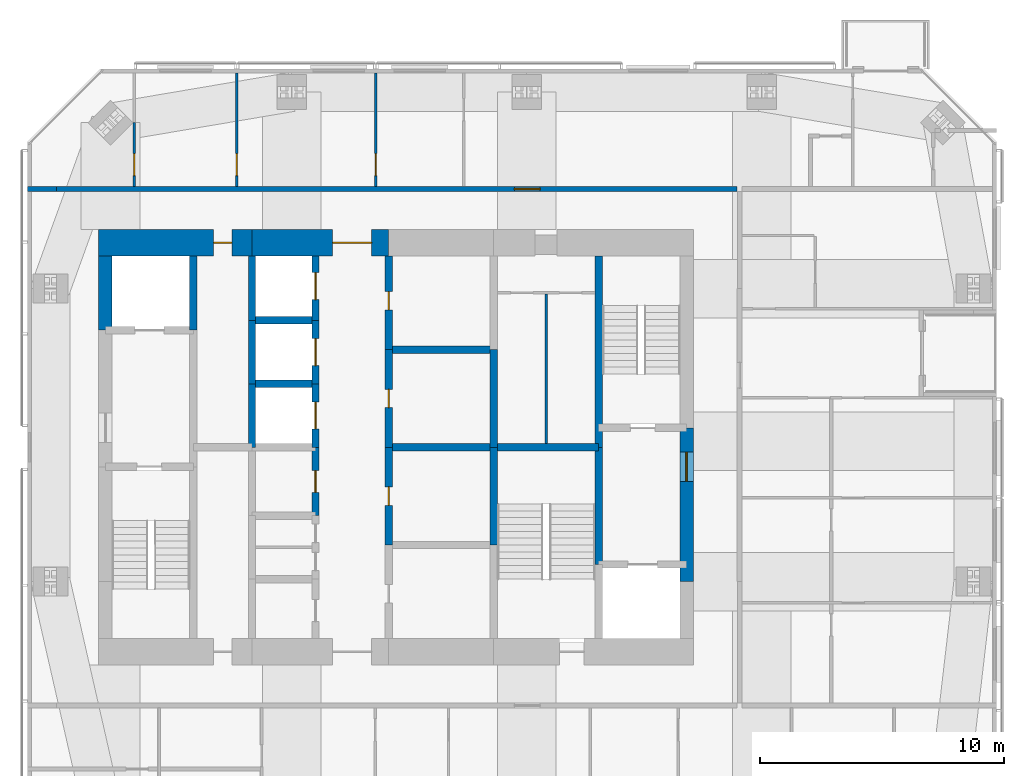
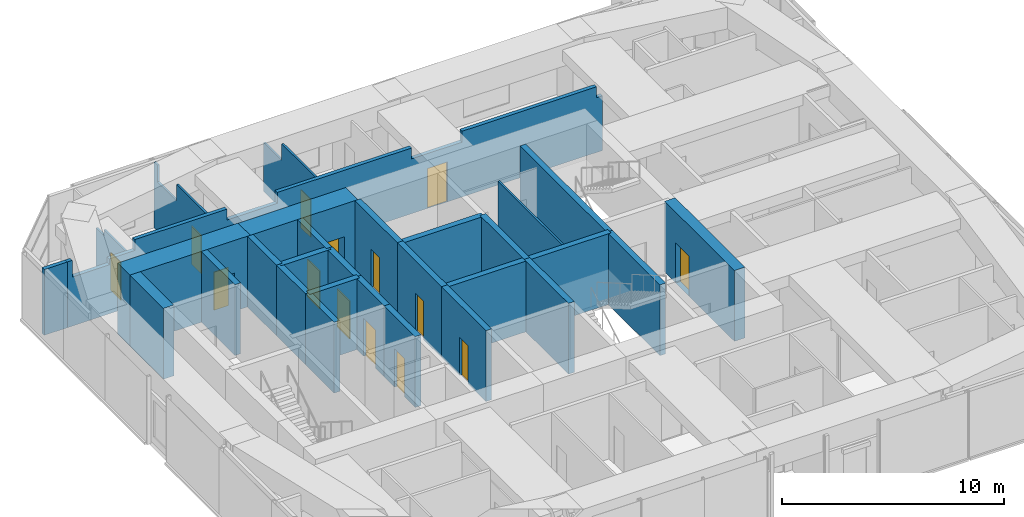
# One storey, part 16 of 20: 30 walls, 14 doors, 14 openings.
"""IFC4 building model written with IfcOpenShell, lengths in metres."""

from ifc_helpers import new_model, si_unit, direction, frame, frame_2d, origin, place, context, subcontext, project, spatial, polyline, rectangle, outline, extrude, material, layer, layer_set, constituent, constituent_set, type_object, element, fill, save


model = new_model("IFC4")

# Units and contexts
model_context = context("Model", 3, precision=1e-05, world=origin(), true_north=direction((0.0, 1.0)))
body_context = subcontext(model_context, "Body", "Model", "MODEL_VIEW")
ifc_project = project(units=[si_unit("LENGTHUNIT", "METRE"), si_unit("AREAUNIT", "SQUARE_METRE"), si_unit("VOLUMEUNIT", "CUBIC_METRE"), si_unit("PLANEANGLEUNIT", "RADIAN"), si_unit("MASSUNIT", "GRAM", prefix="KILO")], contexts=[model_context])

# Site, building, storey
site_placement = place(None, origin())
site = spatial("IfcSite", under=ifc_project, at=site_placement, CompositionType="ELEMENT")
building_placement = place(site_placement, origin())
building = spatial("IfcBuilding", under=site, at=building_placement, Name="Jalousie Tower", CompositionType="ELEMENT")
storey_placement = place(building_placement, frame((0.0, 0.0, 263.85009765625)))
storey = spatial("IfcBuildingStorey", under=building, at=storey_placement, Name="L72", CompositionType="ELEMENT", Elevation=263.85009765625)

# Wall, opening, door
ifc_material_1 = material(Name="Concrete f'c 120 MPa", Category="concrete")
ifc_layer_1 = layer(ifc_material_1, 1.10009765625)
ifc_layer_set_1 = layer_set([ifc_layer_1], Name="Concrete f'c 120 MPa")
wall_type_1 = type_object("IfcWallType", Name="CORE WALL 1100", PredefinedType="SHEAR", material=ifc_layer_set_1)
wall_1_placement = place(storey_placement, frame((31.60009765625, 26.875, 0.0), z_axis=(0.0, 0.0, 1.0), x_axis=(-1.0, 0.0, 0.0)))
wall_1 = element("IfcWall", 1, at=wall_1_placement, inside=storey, type_object=wall_type_1, Name="Core wall NC L72", PredefinedType="SHEAR", context=body_context, shape_type="SweptSolid", body=[
    extrude(rectangle(XDim=5.60009765625, YDim=1.10009765625, at=frame_2d((2.800048828125, 0.0))), origin(), (0.0, 0.0, 1.0), 3.89990234375),
])
opening_1_placement = place(wall_1_placement, frame((0.699951171875, 0.0, 0.0)))
opening_1 = element("IfcOpeningElement", 2, at=opening_1_placement, cuts=wall_1, Name="Opening D15", PredefinedType="OPENING", context=body_context, shape_type="SweptSolid", body=[
    extrude(rectangle(XDim=1.60009765625, YDim=2.10009765625, at=frame_2d((0.800048828125, 1.050048828125))), frame((0.0, 0.56005859375, 0.0), z_axis=(0.0, -1.0, 0.0), x_axis=(1.0, 0.0, 0.0)), (0.0, 0.0, 1.0), 1.1201171875),
])
ifc_material_2 = material(Name="Steel fire door", Category="steel")
door_type_1 = type_object("IfcDoorType", Name="LIFT LOBBY DOOR 1600", OperationType="DOUBLE_DOOR_SINGLE_SWING", PredefinedType="DOOR", material=ifc_material_2)
door_1_placement = place(opening_1_placement, origin())
door_1 = element("IfcDoor", 3, at=door_1_placement, inside=storey, type_object=door_type_1, Name="Lift lobby north door", OperationType="DOUBLE_DOOR_SINGLE_SWING", OverallHeight=2.10009765625, OverallWidth=1.60009765625, PredefinedType="DOOR", context=body_context, shape_type="SweptSolid", body=[
    extrude(rectangle(XDim=1.60009765625, YDim=2.10009765625, at=frame_2d((0.800048828125, 1.050048828125))), frame((0.0, 0.02490234375, 0.0), z_axis=(0.0, -1.0, 0.0), x_axis=(1.0, 0.0, 0.0)), (0.0, 0.0, 1.0), 0.050048828125),
])
fill(opening_1, door_1)

wall_2_placement = place(storey_placement, frame((26.0, 26.875, 0.0), z_axis=(0.0, 0.0, 1.0), x_axis=(-1.0, 0.0, 0.0)))
wall_2 = element("IfcWall", 4, at=wall_2_placement, inside=storey, type_object=wall_type_1, Name="Core wall ND L72", PredefinedType="SHEAR", context=body_context, shape_type="SweptSolid", body=[
    extrude(rectangle(XDim=6.27490234375, YDim=1.10009765625, at=frame_2d((3.137451171875, 0.0))), origin(), (0.0, 0.0, 1.0), 3.89990234375),
])
opening_2_placement = place(wall_2_placement, frame((0.824951171875, 0.0, 0.0)))
opening_2 = element("IfcOpeningElement", 5, at=opening_2_placement, cuts=wall_2, Name="Opening D16", PredefinedType="OPENING", context=body_context, shape_type="SweptSolid", body=[
    extrude(rectangle(XDim=0.75, YDim=2.10009765625, at=frame_2d((0.375, 1.050048828125))), frame((0.0, 0.56005859375, 0.0), z_axis=(0.0, -1.0, 0.0), x_axis=(1.0, 0.0, 0.0)), (0.0, 0.0, 1.0), 1.1201171875),
])
ifc_material_3 = material(Name="Steel fire door", Category="steel")
door_type_2 = type_object("IfcDoorType", Name="RISER DOOR 750", OperationType="SINGLE_SWING_LEFT", PredefinedType="DOOR", material=ifc_material_3)
door_2_placement = place(opening_2_placement, origin())
door_2 = element("IfcDoor", 6, at=door_2_placement, inside=storey, type_object=door_type_2, Name="North riser door", OperationType="SINGLE_SWING_RIGHT", OverallHeight=2.10009765625, OverallWidth=0.75, PredefinedType="DOOR", context=body_context, shape_type="SweptSolid", body=[
    extrude(rectangle(XDim=0.75, YDim=2.10009765625, at=frame_2d((0.375, 1.050048828125))), frame((0.0, 0.02490234375, 0.0), z_axis=(0.0, -1.0, 0.0), x_axis=(1.0, 0.0, 0.0)), (0.0, 0.0, 1.0), 0.050048828125),
])
fill(opening_2, door_2)

# Walls
ifc_material_4 = material(Name="Concrete f'c 120 MPa", Category="concrete")
ifc_layer_2 = layer(ifc_material_4, 0.300048828125)
ifc_layer_set_2 = layer_set([ifc_layer_2], Name="Concrete f'c 120 MPa")
wall_type_2 = type_object("IfcWallType", Name="CORE WALL 300", PredefinedType="SHEAR", material=ifc_layer_set_2)
wall_3_placement = place(storey_placement, frame((23.60009765625, 23.300048828125, 0.0), z_axis=(0.0, 0.0, 1.0), x_axis=(0.0, 1.0, 0.0)))
element("IfcWall", 7, at=wall_3_placement, inside=storey, type_object=wall_type_2, Name="Core wall X23.6C L72", PredefinedType="SHEAR", context=body_context, shape_type="SweptSolid", body=[
    extrude(rectangle(XDim=3.02490234375, YDim=0.300048828125, at=frame_2d((1.512451171875, 0.0))), origin(), (0.0, 0.0, 1.0), 3.89990234375),
])
wall_4_placement = place(storey_placement, frame((26.0, 18.5, 0.0), z_axis=(0.0, 0.0, 1.0), x_axis=(0.0, 1.0, 0.0)))
element("IfcWall", 8, at=wall_4_placement, inside=storey, type_object=wall_type_2, Name="Core wall X26D L72", PredefinedType="SHEAR", context=body_context, shape_type="SweptSolid", body=[
    extrude(rectangle(XDim=2.60009765625, YDim=0.300048828125, at=frame_2d((1.300048828125, 0.0))), origin(), (0.0, 0.0, 1.0), 3.89990234375),
])
wall_5_placement = place(storey_placement, frame((26.0, 21.10009765625, 0.0), z_axis=(0.0, 0.0, 1.0), x_axis=(0.0, 1.0, 0.0)))
element("IfcWall", 9, at=wall_5_placement, inside=storey, type_object=wall_type_2, Name="Core wall X26E L72", PredefinedType="SHEAR", context=body_context, shape_type="SweptSolid", body=[
    extrude(rectangle(XDim=2.599853515625, YDim=0.300048828125, at=frame_2d((1.2998046875, 0.0))), origin(), (0.0, 0.0, 1.0), 3.89990234375),
])
wall_6_placement = place(storey_placement, frame((26.0, 23.699951171875, 0.0), z_axis=(0.0, 0.0, 1.0), x_axis=(0.0, 1.0, 0.0)))
element("IfcWall", 10, at=wall_6_placement, inside=storey, type_object=wall_type_2, Name="Core wall X26F L72", PredefinedType="SHEAR", context=body_context, shape_type="SweptSolid", body=[
    extrude(rectangle(XDim=2.625, YDim=0.300048828125, at=frame_2d((1.3125, 0.0))), origin(), (0.0, 0.0, 1.0), 3.89990234375),
])

# Wall, opening, door
wall_7_placement = place(storey_placement, frame((28.60009765625, 15.699951171875, 0.0), z_axis=(0.0, 0.0, 1.0), x_axis=(0.0, 1.0, 0.0)))
wall_7 = element("IfcWall", 11, at=wall_7_placement, inside=storey, type_object=wall_type_2, Name="Core wall X28.6C L72", PredefinedType="SHEAR", context=body_context, shape_type="SweptSolid", body=[
    extrude(rectangle(XDim=2.800048828125, YDim=0.300048828125, at=frame_2d((1.39990234375, 0.0))), origin(), (0.0, 0.0, 1.0), 3.89990234375),
])
opening_3_placement = place(wall_7_placement, frame((0.949951171875, 0.0, 0.0)))
opening_3 = element("IfcOpeningElement", 12, at=opening_3_placement, cuts=wall_7, Name="Opening D24", PredefinedType="OPENING", context=body_context, shape_type="SweptSolid", body=[
    extrude(rectangle(XDim=0.89990234375, YDim=2.10009765625, at=frame_2d((0.449951171875, 1.050048828125))), frame((0.0, 0.159912109375, 0.0), z_axis=(0.0, -1.0, 0.0), x_axis=(1.0, 0.0, 0.0)), (0.0, 0.0, 1.0), 0.320068359375),
])
ifc_material_5 = material(Name="Steel fire door", Category="steel")
door_type_3 = type_object("IfcDoorType", Name="CORE ROOM DOOR 900", OperationType="SINGLE_SWING_LEFT", PredefinedType="DOOR", material=ifc_material_5)
door_3_placement = place(opening_3_placement, origin())
door_3 = element("IfcDoor", 13, at=door_3_placement, inside=storey, type_object=door_type_3, Name="Pantry door", OperationType="SINGLE_SWING_LEFT", OverallHeight=2.10009765625, OverallWidth=0.89990234375, PredefinedType="DOOR", context=body_context, shape_type="SweptSolid", body=[
    extrude(rectangle(XDim=0.89990234375, YDim=2.10009765625, at=frame_2d((0.449951171875, 1.050048828125))), frame((0.0, 0.02490234375, 0.0), z_axis=(0.0, -1.0, 0.0), x_axis=(1.0, 0.0, 0.0)), (0.0, 0.0, 1.0), 0.050048828125),
])
fill(opening_3, door_3)

wall_8_placement = place(storey_placement, frame((28.60009765625, 18.5, 0.0), z_axis=(0.0, 0.0, 1.0), x_axis=(0.0, 1.0, 0.0)))
wall_8 = element("IfcWall", 14, at=wall_8_placement, inside=storey, type_object=wall_type_2, Name="Core wall X28.6D L72", PredefinedType="SHEAR", context=body_context, shape_type="SweptSolid", body=[
    extrude(rectangle(XDim=2.60009765625, YDim=0.300048828125, at=frame_2d((1.300048828125, 0.0))), origin(), (0.0, 0.0, 1.0), 3.89990234375),
])
opening_4_placement = place(wall_8_placement, frame((0.75, 0.0, 0.0)))
opening_4 = element("IfcOpeningElement", 15, at=opening_4_placement, cuts=wall_8, Name="Opening LD1", PredefinedType="OPENING", context=body_context, shape_type="SweptSolid", body=[
    extrude(rectangle(XDim=1.10009765625, YDim=2.10009765625, at=frame_2d((0.550048828125, 1.050048828125))), frame((0.0, 0.159912109375, 0.0), z_axis=(0.0, -1.0, 0.0), x_axis=(1.0, 0.0, 0.0)), (0.0, 0.0, 1.0), 0.320068359375),
])
ifc_material_6 = material(Name="Steel lift landing door", Category="steel")
door_type_4 = type_object("IfcDoorType", Name="LIFT LANDING DOOR 1100", OperationType="SLIDING_TO_LEFT", PredefinedType="DOOR", material=ifc_material_6)
door_4_placement = place(opening_4_placement, origin())
door_4 = element("IfcDoor", 16, at=door_4_placement, inside=storey, type_object=door_type_4, Name="Lift P4 landing door", OperationType="SLIDING_TO_LEFT", OverallHeight=2.10009765625, OverallWidth=1.10009765625, PredefinedType="DOOR", context=body_context, shape_type="SweptSolid", body=[
    extrude(rectangle(XDim=1.10009765625, YDim=2.10009765625, at=frame_2d((0.550048828125, 1.050048828125))), frame((0.0, 0.02490234375, 0.0), z_axis=(0.0, -1.0, 0.0), x_axis=(1.0, 0.0, 0.0)), (0.0, 0.0, 1.0), 0.050048828125),
])
fill(opening_4, door_4)

wall_9_placement = place(storey_placement, frame((28.60009765625, 21.10009765625, 0.0), z_axis=(0.0, 0.0, 1.0), x_axis=(0.0, 1.0, 0.0)))
wall_9 = element("IfcWall", 17, at=wall_9_placement, inside=storey, type_object=wall_type_2, Name="Core wall X28.6E L72", PredefinedType="SHEAR", context=body_context, shape_type="SweptSolid", body=[
    extrude(rectangle(XDim=2.599853515625, YDim=0.300048828125, at=frame_2d((1.2998046875, 0.0))), origin(), (0.0, 0.0, 1.0), 3.89990234375),
])
opening_5_placement = place(wall_9_placement, frame((0.75, 0.0, 0.0)))
opening_5 = element("IfcOpeningElement", 18, at=opening_5_placement, cuts=wall_9, Name="Opening LD1", PredefinedType="OPENING", context=body_context, shape_type="SweptSolid", body=[
    extrude(rectangle(XDim=1.10009765625, YDim=2.10009765625, at=frame_2d((0.550048828125, 1.050048828125))), frame((0.0, 0.159912109375, 0.0), z_axis=(0.0, -1.0, 0.0), x_axis=(1.0, 0.0, 0.0)), (0.0, 0.0, 1.0), 0.320068359375),
])
door_5_placement = place(opening_5_placement, origin())
door_5 = element("IfcDoor", 19, at=door_5_placement, inside=storey, type_object=door_type_4, Name="Lift P5 landing door", OperationType="SLIDING_TO_LEFT", OverallHeight=2.10009765625, OverallWidth=1.10009765625, PredefinedType="DOOR", context=body_context, shape_type="SweptSolid", body=[
    extrude(rectangle(XDim=1.10009765625, YDim=2.10009765625, at=frame_2d((0.550048828125, 1.050048828125))), frame((0.0, 0.02490234375, 0.0), z_axis=(0.0, -1.0, 0.0), x_axis=(1.0, 0.0, 0.0)), (0.0, 0.0, 1.0), 0.050048828125),
])
fill(opening_5, door_5)

wall_10_placement = place(storey_placement, frame((28.60009765625, 23.699951171875, 0.0), z_axis=(0.0, 0.0, 1.0), x_axis=(0.0, 1.0, 0.0)))
wall_10 = element("IfcWall", 20, at=wall_10_placement, inside=storey, type_object=wall_type_2, Name="Core wall X28.6F L72", PredefinedType="SHEAR", context=body_context, shape_type="SweptSolid", body=[
    extrude(rectangle(XDim=2.625, YDim=0.300048828125, at=frame_2d((1.3125, 0.0))), origin(), (0.0, 0.0, 1.0), 3.89990234375),
])
opening_6_placement = place(wall_10_placement, frame((0.85009765625, 0.0, 0.0)))
opening_6 = element("IfcOpeningElement", 21, at=opening_6_placement, cuts=wall_10, Name="Opening LD1", PredefinedType="OPENING", context=body_context, shape_type="SweptSolid", body=[
    extrude(rectangle(XDim=1.10009765625, YDim=2.10009765625, at=frame_2d((0.550048828125, 1.050048828125))), frame((0.0, 0.159912109375, 0.0), z_axis=(0.0, -1.0, 0.0), x_axis=(1.0, 0.0, 0.0)), (0.0, 0.0, 1.0), 0.320068359375),
])
door_6_placement = place(opening_6_placement, origin())
door_6 = element("IfcDoor", 22, at=door_6_placement, inside=storey, type_object=door_type_4, Name="Lift P6 landing door", OperationType="SLIDING_TO_LEFT", OverallHeight=2.10009765625, OverallWidth=1.10009765625, PredefinedType="DOOR", context=body_context, shape_type="SweptSolid", body=[
    extrude(rectangle(XDim=1.10009765625, YDim=2.10009765625, at=frame_2d((0.550048828125, 1.050048828125))), frame((0.0, 0.02490234375, 0.0), z_axis=(0.0, -1.0, 0.0), x_axis=(1.0, 0.0, 0.0)), (0.0, 0.0, 1.0), 0.050048828125),
])
fill(opening_6, door_6)

wall_11_placement = place(storey_placement, frame((31.60009765625, 14.5, 0.0), z_axis=(0.0, 0.0, 1.0), x_axis=(0.0, 1.0, 0.0)))
wall_11 = element("IfcWall", 23, at=wall_11_placement, inside=storey, type_object=wall_type_2, Name="Core wall X31.6B L72", PredefinedType="SHEAR", context=body_context, shape_type="SweptSolid", body=[
    extrude(rectangle(XDim=4.0, YDim=0.300048828125, at=frame_2d((2.0, 0.0))), origin(), (0.0, 0.0, 1.0), 3.89990234375),
])
opening_7_placement = place(wall_11_placement, frame((1.625, 0.0, 0.0)))
opening_7 = element("IfcOpeningElement", 24, at=opening_7_placement, cuts=wall_11, Name="Opening D16", PredefinedType="OPENING", context=body_context, shape_type="SweptSolid", body=[
    extrude(rectangle(XDim=0.75, YDim=2.10009765625, at=frame_2d((0.375, 1.050048828125))), frame((0.0, 0.159912109375, 0.0), z_axis=(0.0, -1.0, 0.0), x_axis=(1.0, 0.0, 0.0)), (0.0, 0.0, 1.0), 0.320068359375),
])
door_7_placement = place(opening_7_placement, frame((0.75, 0.0, 0.0), z_axis=(0.0, 0.0, 1.0), x_axis=(-1.0, 0.0, 0.0)))
door_7 = element("IfcDoor", 25, at=door_7_placement, inside=storey, type_object=door_type_2, Name="Electrical Room door", OperationType="SINGLE_SWING_RIGHT", OverallHeight=2.10009765625, OverallWidth=0.75, PredefinedType="DOOR", context=body_context, shape_type="SweptSolid", body=[
    extrude(rectangle(XDim=0.75, YDim=2.10009765625, at=frame_2d((0.375, 1.050048828125))), frame((0.0, 0.02490234375, 0.0), z_axis=(0.0, -1.0, 0.0), x_axis=(1.0, 0.0, 0.0)), (0.0, 0.0, 1.0), 0.050048828125),
])
fill(opening_7, door_7)

wall_12_placement = place(storey_placement, frame((31.60009765625, 18.5, 0.0), z_axis=(0.0, 0.0, 1.0), x_axis=(0.0, 1.0, 0.0)))
wall_12 = element("IfcWall", 26, at=wall_12_placement, inside=storey, type_object=wall_type_2, Name="Core wall X31.6C L72", PredefinedType="SHEAR", context=body_context, shape_type="SweptSolid", body=[
    extrude(rectangle(XDim=4.0, YDim=0.300048828125, at=frame_2d((2.0, 0.0))), origin(), (0.0, 0.0, 1.0), 3.89990234375),
])
opening_8_placement = place(wall_12_placement, frame((1.625, 0.0, 0.0)))
opening_8 = element("IfcOpeningElement", 27, at=opening_8_placement, cuts=wall_12, Name="Opening D16", PredefinedType="OPENING", context=body_context, shape_type="SweptSolid", body=[
    extrude(rectangle(XDim=0.75, YDim=2.10009765625, at=frame_2d((0.375, 1.050048828125))), frame((0.0, 0.159912109375, 0.0), z_axis=(0.0, -1.0, 0.0), x_axis=(1.0, 0.0, 0.0)), (0.0, 0.0, 1.0), 0.320068359375),
])
door_8_placement = place(opening_8_placement, frame((0.75, 0.0, 0.0), z_axis=(0.0, 0.0, 1.0), x_axis=(-1.0, 0.0, 0.0)))
door_8 = element("IfcDoor", 28, at=door_8_placement, inside=storey, type_object=door_type_2, Name="Telecom Room door", OperationType="SINGLE_SWING_RIGHT", OverallHeight=2.10009765625, OverallWidth=0.75, PredefinedType="DOOR", context=body_context, shape_type="SweptSolid", body=[
    extrude(rectangle(XDim=0.75, YDim=2.10009765625, at=frame_2d((0.375, 1.050048828125))), frame((0.0, 0.02490234375, 0.0), z_axis=(0.0, -1.0, 0.0), x_axis=(1.0, 0.0, 0.0)), (0.0, 0.0, 1.0), 0.050048828125),
])
fill(opening_8, door_8)

wall_13_placement = place(storey_placement, frame((31.60009765625, 22.5, 0.0), z_axis=(0.0, 0.0, 1.0), x_axis=(0.0, 1.0, 0.0)))
wall_13 = element("IfcWall", 29, at=wall_13_placement, inside=storey, type_object=wall_type_2, Name="Core wall X31.6D L72", PredefinedType="SHEAR", context=body_context, shape_type="SweptSolid", body=[
    extrude(rectangle(XDim=3.824951171875, YDim=0.300048828125, at=frame_2d((1.91259765625, 0.0))), origin(), (0.0, 0.0, 1.0), 3.89990234375),
])
opening_9_placement = place(wall_13_placement, frame((1.625, 0.0, 0.0)))
opening_9 = element("IfcOpeningElement", 30, at=opening_9_placement, cuts=wall_13, Name="Opening D16", PredefinedType="OPENING", context=body_context, shape_type="SweptSolid", body=[
    extrude(rectangle(XDim=0.75, YDim=2.10009765625, at=frame_2d((0.375, 1.050048828125))), frame((0.0, 0.159912109375, 0.0), z_axis=(0.0, -1.0, 0.0), x_axis=(1.0, 0.0, 0.0)), (0.0, 0.0, 1.0), 0.320068359375),
])
door_9_placement = place(opening_9_placement, frame((0.75, 0.0, 0.0), z_axis=(0.0, 0.0, 1.0), x_axis=(-1.0, 0.0, 0.0)))
door_9 = element("IfcDoor", 31, at=door_9_placement, inside=storey, type_object=door_type_2, Name="Water Services Room door", OperationType="SINGLE_SWING_LEFT", OverallHeight=2.10009765625, OverallWidth=0.75, PredefinedType="DOOR", context=body_context, shape_type="SweptSolid", body=[
    extrude(rectangle(XDim=0.75, YDim=2.10009765625, at=frame_2d((0.375, 1.050048828125))), frame((0.0, 0.02490234375, 0.0), z_axis=(0.0, -1.0, 0.0), x_axis=(1.0, 0.0, 0.0)), (0.0, 0.0, 1.0), 0.050048828125),
])
fill(opening_9, door_9)

# Walls
for number, where, z_axis, x_axis, name in (
    (32, (35.89990234375, 14.5, 0.0), (0.0, 0.0, 1.0), (0.0, 1.0, 0.0), "Core wall X35.9B L72"),
    (33, (35.89990234375, 18.5, 0.0), (0.0, 0.0, 1.0), (0.0, 1.0, 0.0), "Core wall X35.9C L72"),
):
    element("IfcWall", number, at=place(storey_placement, frame(where, z_axis=z_axis, x_axis=x_axis)), inside=storey, type_object=wall_type_2, Name=name, PredefinedType="SHEAR", context=body_context, shape_type="SweptSolid", body=[
        extrude(rectangle(XDim=4.0, YDim=0.300048828125, at=frame_2d((2.0, 0.0))), origin(), (0.0, 0.0, 1.0), 3.89990234375),
    ])
wall_14_placement = place(storey_placement, frame((40.199951171875, 13.699951171875, 0.0), z_axis=(0.0, 0.0, 1.0), x_axis=(0.0, 1.0, 0.0)))
element("IfcWall", 34, at=wall_14_placement, inside=storey, type_object=wall_type_2, Name="Core wall X40.2B L72", PredefinedType="SHEAR", context=body_context, shape_type="SweptSolid", body=[
    extrude(rectangle(XDim=4.800048828125, YDim=0.300048828125, at=frame_2d((2.39990234375, 0.0))), origin(), (0.0, 0.0, 1.0), 3.89990234375),
])
wall_15_placement = place(storey_placement, frame((40.199951171875, 18.5, 0.0), z_axis=(0.0, 0.0, 1.0), x_axis=(0.0, 1.0, 0.0)))
element("IfcWall", 35, at=wall_15_placement, inside=storey, type_object=wall_type_2, Name="Core wall X40.2C L72", PredefinedType="SHEAR", context=body_context, shape_type="SweptSolid", body=[
    extrude(rectangle(XDim=7.824951171875, YDim=0.300048828125, at=frame_2d((3.91259765625, 0.0))), origin(), (0.0, 0.0, 1.0), 3.89990234375),
])
for number, where, z_axis, x_axis, name in (
    (36, (26.0, 21.10009765625, 0.0), (0.0, 0.0, 1.0), (1.0, 0.0, 0.0), "Core wall Y26-21.1 L72"),
    (37, (26.0, 23.699951171875, 0.0), (0.0, 0.0, 1.0), (1.0, 0.0, 0.0), "Core wall Y26-23.7 L72"),
):
    element("IfcWall", number, at=place(storey_placement, frame(where, z_axis=z_axis, x_axis=x_axis)), inside=storey, type_object=wall_type_2, Name=name, PredefinedType="SHEAR", context=body_context, shape_type="SweptSolid", body=[
        extrude(rectangle(XDim=2.60009765625, YDim=0.300048828125, at=frame_2d((1.300048828125, 0.0))), origin(), (0.0, 0.0, 1.0), 3.89990234375),
    ])
for number, where, z_axis, x_axis, name in (
    (38, (31.60009765625, 18.5, 0.0), (0.0, 0.0, 1.0), (1.0, 0.0, 0.0), "Core wall Y31.6-18.5 L72"),
    (39, (31.60009765625, 22.5, 0.0), (0.0, 0.0, 1.0), (1.0, 0.0, 0.0), "Core wall Y31.6-22.5 L72"),
):
    element("IfcWall", number, at=place(storey_placement, frame(where, z_axis=z_axis, x_axis=x_axis)), inside=storey, type_object=wall_type_2, Name=name, PredefinedType="SHEAR", context=body_context, shape_type="SweptSolid", body=[
        extrude(rectangle(XDim=4.2998046875, YDim=0.300048828125, at=frame_2d((2.14990234375, 0.0))), origin(), (0.0, 0.0, 1.0), 3.89990234375),
    ])
wall_16_placement = place(storey_placement, frame((35.89990234375, 18.5, 0.0), z_axis=(0.0, 0.0, 1.0), x_axis=(1.0, 0.0, 0.0)))
element("IfcWall", 40, at=wall_16_placement, inside=storey, type_object=wall_type_2, Name="Core wall Y35.9-18.5 L72", PredefinedType="SHEAR", context=body_context, shape_type="SweptSolid", body=[
    extrude(rectangle(XDim=4.300048828125, YDim=0.300048828125, at=frame_2d((2.14990234375, 0.0))), origin(), (0.0, 0.0, 1.0), 3.89990234375),
])
ifc_material_7 = material(Name="Concrete f'c 120 MPa", Category="concrete")
ifc_layer_3 = layer(ifc_material_7, 0.550048828125)
ifc_layer_set_3 = layer_set([ifc_layer_3], Name="Concrete f'c 120 MPa")
wall_type_3 = type_object("IfcWallType", Name="CORE WALL 550", PredefinedType="SHEAR", material=ifc_layer_set_3)
wall_17_placement = place(storey_placement, frame((20.0, 26.324951171875, 0.0), z_axis=(0.0, 0.0, 1.0), x_axis=(0.0, -1.0, 0.0)))
element("IfcWall", 41, at=wall_17_placement, inside=storey, type_object=wall_type_3, Name="Core wall WA L72", PredefinedType="SHEAR", context=body_context, shape_type="SweptSolid", body=[
    extrude(rectangle(XDim=3.02490234375, YDim=0.550048828125, at=frame_2d((1.512451171875, 0.0))), origin(), (0.0, 0.0, 1.0), 3.89990234375),
])

# Wall, opening, door
wall_18_placement = place(storey_placement, frame((43.800048828125, 13.0, 0.0), z_axis=(0.0, 0.0, 1.0), x_axis=(0.0, 1.0, 0.0)))
wall_18 = element("IfcWall", 42, at=wall_18_placement, inside=storey, type_object=wall_type_3, Name="Core wall EB L72", PredefinedType="SHEAR", context=body_context, shape_type="SweptSolid", body=[
    extrude(rectangle(XDim=6.300048828125, YDim=0.550048828125, at=frame_2d((3.14990234375, 0.0))), origin(), (0.0, 0.0, 1.0), 3.89990234375),
])
opening_10_placement = place(wall_18_placement, frame((4.10009765625, 0.0, 0.0)))
opening_10 = element("IfcOpeningElement", 43, at=opening_10_placement, cuts=wall_18, Name="Opening D11", PredefinedType="OPENING", context=body_context, shape_type="SweptSolid", body=[
    extrude(rectangle(XDim=1.199951171875, YDim=2.199951171875, at=frame_2d((0.60009765625, 1.10009765625))), frame((0.0, 0.284912109375, 0.0), z_axis=(0.0, -1.0, 0.0), x_axis=(1.0, 0.0, 0.0)), (0.0, 0.0, 1.0), 0.570068359375),
])
ifc_material_8 = material(Name="Steel fire door", Category="steel")
door_type_5 = type_object("IfcDoorType", Name="FIRE DOOR 1200", OperationType="SINGLE_SWING_LEFT", PredefinedType="DOOR", material=ifc_material_8)
door_10_placement = place(opening_10_placement, origin())
door_10 = element("IfcDoor", 44, at=door_10_placement, inside=storey, type_object=door_type_5, Name="Fire-fighting lobby B door", OperationType="SINGLE_SWING_RIGHT", OverallHeight=2.199951171875, OverallWidth=1.199951171875, PredefinedType="DOOR", context=body_context, shape_type="SweptSolid", body=[
    extrude(rectangle(XDim=1.199951171875, YDim=2.199951171875, at=frame_2d((0.60009765625, 1.10009765625))), frame((0.0, 0.02490234375, 0.0), z_axis=(0.0, -1.0, 0.0), x_axis=(1.0, 0.0, 0.0)), (0.0, 0.0, 1.0), 0.050048828125),
])
fill(opening_10, door_10)

ifc_material_9 = material(Name="Concrete block ASTM C90", Category="concrete")
ifc_constituent_1 = constituent(ifc_material_9, Name="Body")
ifc_material_10 = material(Name="Render")
ifc_constituent_2 = constituent(ifc_material_10, Name="Finish")
ifc_constituent_set_1 = constituent_set(constituents=[ifc_constituent_1, ifc_constituent_2])
wall_type_4 = type_object("IfcWallType", Name="CORRIDOR WALL 200", PredefinedType="PARTITIONING", material=ifc_constituent_set_1)
wall_19_placement = place(storey_placement, frame((18.0, 29.074951171875, 0.0), z_axis=(0.0, 0.0, 1.0), x_axis=(1.0, 0.0, 0.0)))
wall_19 = element("IfcWall", 45, at=wall_19_placement, inside=storey, type_object=wall_type_4, Name="Corridor Wall 200 L72", PredefinedType="PARTITIONING", context=body_context, shape_type="SweptSolid", body=[
    extrude(outline(polyline([(0.0, 0.0), (27.875, 0.0), (27.875, 3.619873046875), (27.875, 3.02001953125), (27.56494140625, 3.02001953125), (27.56494140625, 3.619873046875), (20.56005859375, 3.619873046875), (20.56005859375, 3.02001953125), (17.93994140625, 3.02001953125), (17.93994140625, 3.619873046875), (10.93505859375, 3.619873046875), (10.93505859375, 3.02001953125), (8.31494140625, 3.02001953125), (8.31494140625, 3.619873046875), (3.51708984375, 3.619873046875), (3.51708984375, 3.02001953125), (2.191650390625, 3.02001953125), (2.191650390625, 2.699951171875), (0.25634765625, 2.699951171875), (0.25634765625, 3.619873046875), (0.0, 3.619873046875), (0.0, 0.0)])), frame((0.0, 0.10009765625, 0.0), z_axis=(0.0, -1.0, 0.0), x_axis=(1.0, 0.0, 0.0)), (0.0, 0.0, 1.0), 0.199951171875),
])
opening_11_placement = place(wall_19_placement, frame((18.75, 0.0, 0.0)))
opening_11 = element("IfcOpeningElement", 46, at=opening_11_placement, cuts=wall_19, Name="Opening D1", PredefinedType="OPENING", context=body_context, shape_type="SweptSolid", body=[
    extrude(rectangle(XDim=1.050048828125, YDim=2.199951171875, at=frame_2d((0.52490234375, 1.10009765625))), frame((0.0, 0.10986328125, 0.0), z_axis=(0.0, -1.0, 0.0), x_axis=(1.0, 0.0, 0.0)), (0.0, 0.0, 1.0), 0.219970703125),
])
ifc_material_11 = material(Name="Timber fire door", Category="wood")
door_type_6 = type_object("IfcDoorType", Name="APARTMENT ENTRANCE DOOR 1050", OperationType="SINGLE_SWING_LEFT", PredefinedType="DOOR", material=ifc_material_11)
door_11_placement = place(opening_11_placement, origin())
door_11 = element("IfcDoor", 47, at=door_11_placement, inside=storey, type_object=door_type_6, Name="Apartment 7202 entrance", OperationType="SINGLE_SWING_LEFT", OverallHeight=2.199951171875, OverallWidth=1.050048828125, PredefinedType="DOOR", context=body_context, shape_type="SweptSolid", body=[
    extrude(rectangle(XDim=1.050048828125, YDim=2.199951171875, at=frame_2d((0.52490234375, 1.10009765625))), frame((0.0, 0.02490234375, 0.0), z_axis=(0.0, -1.0, 0.0), x_axis=(1.0, 0.0, 0.0)), (0.0, 0.0, 1.0), 0.050048828125),
])
fill(opening_11, door_11)

ifc_material_12 = material(Name="Gypsum board", Category="gypsum")
ifc_constituent_3 = constituent(ifc_material_12, Name="Body")
ifc_material_13 = material(Name="Light-gauge steel studs ASTM A653 SS Grade 33", Category="steel")
ifc_constituent_4 = constituent(ifc_material_13, Name="Framing")
ifc_constituent_set_2 = constituent_set(constituents=[ifc_constituent_3, ifc_constituent_4])
wall_type_5 = type_object("IfcWallType", Name="PARTITION 100", PredefinedType="PARTITIONING", material=ifc_constituent_set_2)
wall_20_placement = place(storey_placement, frame((21.17626953125, 31.79296875, 0.0), z_axis=(0.0, 0.0, 1.0), x_axis=(0.0, -1.0, 0.0)))
wall_20 = element("IfcWall", 48, at=wall_20_placement, inside=storey, type_object=wall_type_5, Name="Partition 100 L72-B", PredefinedType="PARTITIONING", context=body_context, shape_type="SweptSolid", body=[
    extrude(outline(polyline([(0.0, 0.0), (2.617919921875, 0.0), (2.617919921875, 3.02001953125), (0.7080078125, 3.02001953125), (0.7080078125, 2.699951171875), (0.0, 2.699951171875), (0.0, 0.0)])), frame((0.0, 0.050048828125, 0.0), z_axis=(0.0, -1.0, 0.0), x_axis=(1.0, 0.0, 0.0)), (0.0, 0.0, 1.0), 0.10009765625),
])
opening_12_placement = place(wall_20_placement, frame((1.267822265625, 0.0, 0.0)))
opening_12 = element("IfcOpeningElement", 49, at=opening_12_placement, cuts=wall_20, Name="Opening D2", PredefinedType="OPENING", context=body_context, shape_type="SweptSolid", body=[
    extrude(rectangle(XDim=0.89990234375, YDim=2.10009765625, at=frame_2d((0.449951171875, 1.050048828125))), frame((0.0, 0.06005859375, 0.0), z_axis=(0.0, -1.0, 0.0), x_axis=(1.0, 0.0, 0.0)), (0.0, 0.0, 1.0), 0.1201171875),
])
ifc_material_14 = material(Name="Timber door", Category="wood")
door_type_7 = type_object("IfcDoorType", Name="BEDROOM DOOR 900", OperationType="SINGLE_SWING_LEFT", PredefinedType="DOOR", material=ifc_material_14)
door_12_placement = place(opening_12_placement, frame((0.89990234375, 0.0, 0.0), z_axis=(0.0, 0.0, 1.0), x_axis=(-1.0, 0.0, 0.0)))
door_12 = element("IfcDoor", 50, at=door_12_placement, inside=storey, type_object=door_type_7, Name="Apartment 7202 bedroom 1 door", OperationType="SINGLE_SWING_LEFT", OverallHeight=2.10009765625, OverallWidth=0.89990234375, PredefinedType="DOOR", context=body_context, shape_type="SweptSolid", body=[
    extrude(rectangle(XDim=0.89990234375, YDim=2.10009765625, at=frame_2d((0.449951171875, 1.050048828125))), frame((0.0, 0.02490234375, 0.0), z_axis=(0.0, -1.0, 0.0), x_axis=(1.0, 0.0, 0.0)), (0.0, 0.0, 1.0), 0.050048828125),
])
fill(opening_12, door_12)

wall_21_placement = place(storey_placement, frame((25.375, 33.824951171875, 0.0), z_axis=(0.0, 0.0, 1.0), x_axis=(0.0, -1.0, 0.0)))
wall_21 = element("IfcWall", 51, at=wall_21_placement, inside=storey, type_object=wall_type_5, Name="Partition 100 L72", PredefinedType="PARTITIONING", context=body_context, shape_type="SweptSolid", body=[
    extrude(outline(polyline([(0.0, 0.0), (4.64990234375, 0.0), (4.64990234375, 3.619873046875), (2.028564453125, 3.619873046875), (2.028564453125, 2.699951171875), (0.283935546875, 2.699951171875), (0.283935546875, 3.619873046875), (0.0, 3.619873046875), (0.0, 0.0)])), frame((0.0, 0.050048828125, 0.0), z_axis=(0.0, -1.0, 0.0), x_axis=(1.0, 0.0, 0.0)), (0.0, 0.0, 1.0), 0.10009765625),
])
opening_13_placement = place(wall_21_placement, frame((3.300048828125, 0.0, 0.0)))
opening_13 = element("IfcOpeningElement", 52, at=opening_13_placement, cuts=wall_21, Name="Opening D2", PredefinedType="OPENING", context=body_context, shape_type="SweptSolid", body=[
    extrude(rectangle(XDim=0.89990234375, YDim=2.10009765625, at=frame_2d((0.449951171875, 1.050048828125))), frame((0.0, 0.06005859375, 0.0), z_axis=(0.0, -1.0, 0.0), x_axis=(1.0, 0.0, 0.0)), (0.0, 0.0, 1.0), 0.1201171875),
])
door_13_placement = place(opening_13_placement, origin())
door_13 = element("IfcDoor", 53, at=door_13_placement, inside=storey, type_object=door_type_7, Name="Apartment 7202 bedroom 2 door", OperationType="SINGLE_SWING_RIGHT", OverallHeight=2.10009765625, OverallWidth=0.89990234375, PredefinedType="DOOR", context=body_context, shape_type="SweptSolid", body=[
    extrude(rectangle(XDim=0.89990234375, YDim=2.10009765625, at=frame_2d((0.449951171875, 1.050048828125))), frame((0.0, 0.02490234375, 0.0), z_axis=(0.0, -1.0, 0.0), x_axis=(1.0, 0.0, 0.0)), (0.0, 0.0, 1.0), 0.050048828125),
])
fill(opening_13, door_13)

wall_22_placement = place(storey_placement, frame((31.074951171875, 33.824951171875, 0.0), z_axis=(0.0, 0.0, 1.0), x_axis=(0.0, -1.0, 0.0)))
wall_22 = element("IfcWall", 54, at=wall_22_placement, inside=storey, type_object=wall_type_5, Name="Partition 100 L72", PredefinedType="PARTITIONING", context=body_context, shape_type="SweptSolid", body=[
    extrude(outline(polyline([(0.0, 0.0), (4.64990234375, 0.0), (4.64990234375, 3.619873046875), (1.635009765625, 3.619873046875), (1.635009765625, 2.699951171875), (0.0, 2.699951171875), (0.0, 3.619873046875), (0.0, 0.0)])), frame((0.0, 0.050048828125, 0.0), z_axis=(0.0, -1.0, 0.0), x_axis=(1.0, 0.0, 0.0)), (0.0, 0.0, 1.0), 0.10009765625),
])
opening_14_placement = place(wall_22_placement, frame((3.300048828125, 0.0, 0.0)))
opening_14 = element("IfcOpeningElement", 55, at=opening_14_placement, cuts=wall_22, Name="Opening D2", PredefinedType="OPENING", context=body_context, shape_type="SweptSolid", body=[
    extrude(rectangle(XDim=0.89990234375, YDim=2.10009765625, at=frame_2d((0.449951171875, 1.050048828125))), frame((0.0, 0.06005859375, 0.0), z_axis=(0.0, -1.0, 0.0), x_axis=(1.0, 0.0, 0.0)), (0.0, 0.0, 1.0), 0.1201171875),
])
door_14_placement = place(opening_14_placement, frame((0.89990234375, 0.0, 0.0), z_axis=(0.0, 0.0, 1.0), x_axis=(-1.0, 0.0, 0.0)))
door_14 = element("IfcDoor", 56, at=door_14_placement, inside=storey, type_object=door_type_7, Name="Apartment 7202 bedroom 3 door", OperationType="SINGLE_SWING_LEFT", OverallHeight=2.10009765625, OverallWidth=0.89990234375, PredefinedType="DOOR", context=body_context, shape_type="SweptSolid", body=[
    extrude(rectangle(XDim=0.89990234375, YDim=2.10009765625, at=frame_2d((0.449951171875, 1.050048828125))), frame((0.0, 0.02490234375, 0.0), z_axis=(0.0, -1.0, 0.0), x_axis=(1.0, 0.0, 0.0)), (0.0, 0.0, 1.0), 0.050048828125),
])
fill(opening_14, door_14)

# Walls
wall_23_placement = place(storey_placement, frame((38.050048828125, 18.64990234375, 0.0), z_axis=(0.0, 0.0, 1.0), x_axis=(0.0, 1.0, 0.0)))
element("IfcWall", 57, at=wall_23_placement, inside=storey, type_object=wall_type_5, Name="Partition 100 L72", PredefinedType="PARTITIONING", context=body_context, shape_type="SweptSolid", body=[
    extrude(rectangle(XDim=6.125, YDim=0.10009765625, at=frame_2d((3.0625, 0.0))), origin(), (0.0, 0.0, 1.0), 3.619873046875),
])
ifc_material_15 = material(Name="Concrete block ASTM C90", Category="concrete")
ifc_constituent_5 = constituent(ifc_material_15, Name="Body")
ifc_material_16 = material(Name="Render")
ifc_constituent_6 = constituent(ifc_material_16, Name="Finish")
ifc_constituent_set_3 = constituent_set(constituents=[ifc_constituent_5, ifc_constituent_6])
wall_type_6 = type_object("IfcWallType", Name="PARTY WALL 200", PredefinedType="PARTITIONING", material=ifc_constituent_set_3)
wall_24_placement = place(storey_placement, frame((16.800048828125, 29.074951171875, 0.0), z_axis=(0.0, 0.0, 1.0), x_axis=(1.0, 0.0, 0.0)))
element("IfcWall", 58, at=wall_24_placement, inside=storey, type_object=wall_type_6, Name="Party Wall 200 L72", PredefinedType="PARTITIONING", context=body_context, shape_type="SweptSolid", body=[
    extrude(rectangle(XDim=1.199951171875, YDim=0.199951171875, at=frame_2d((0.60009765625, 0.0))), origin(), (0.0, 0.0, 1.0), 3.619873046875),
])

save(model, "model.ifc")
